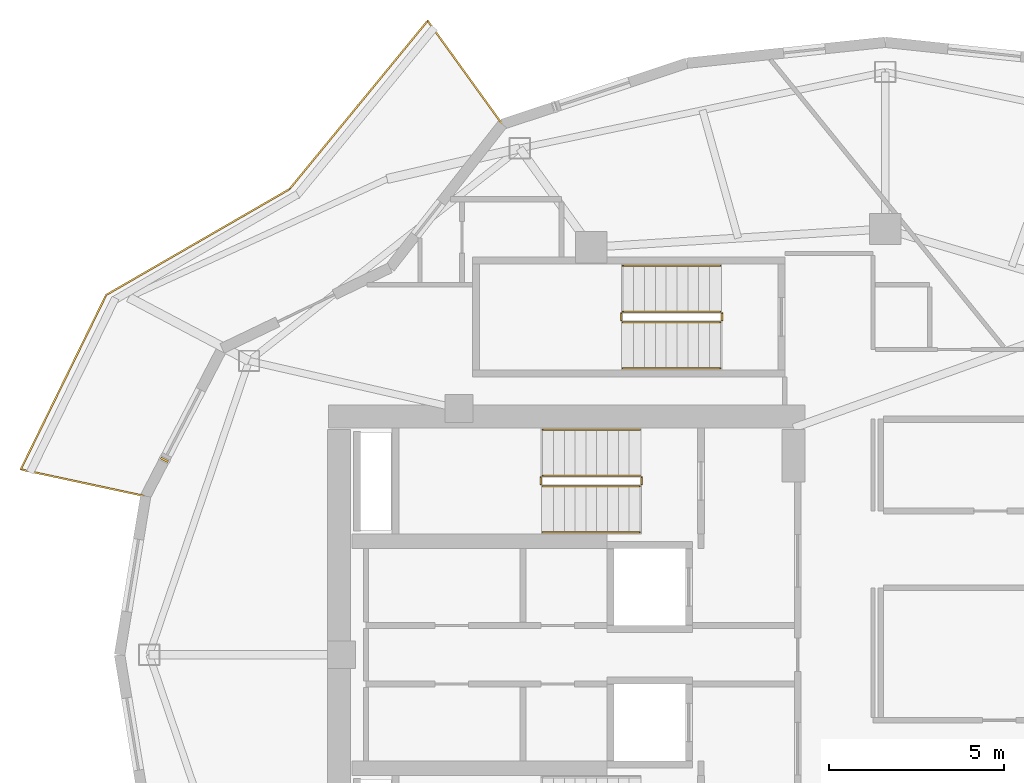
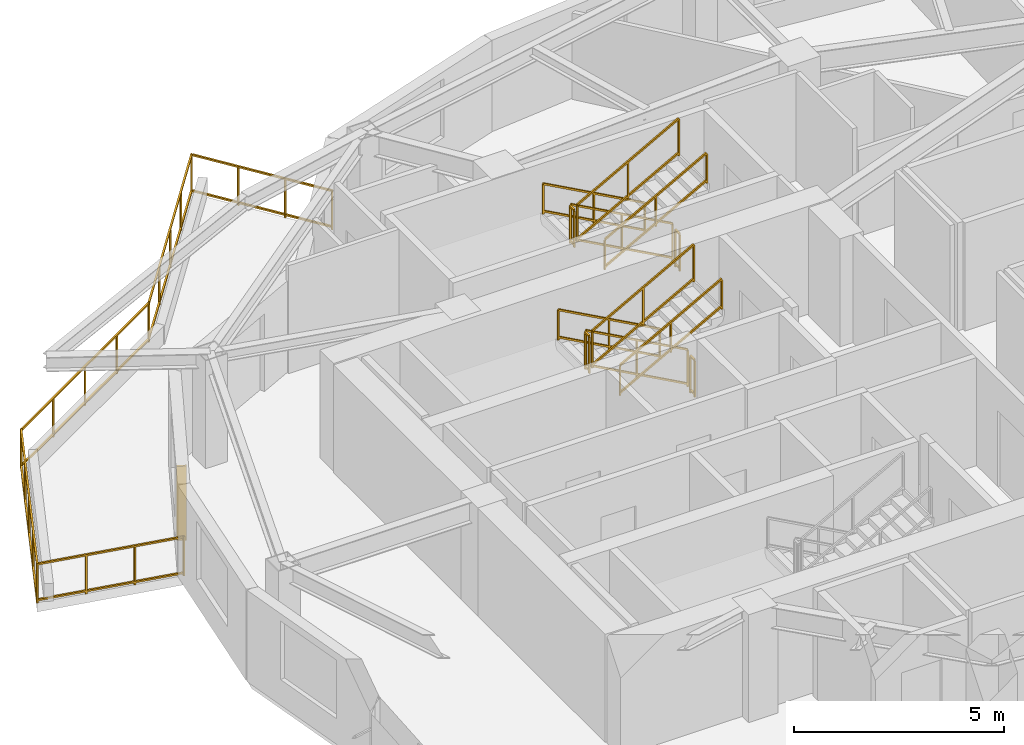
# One storey, part 10 of 12: 13 railings, 1 shading device.
"""IFC4 building model written with IfcOpenShell, lengths in metres."""

from ifc_helpers import new_model, si_unit, direction, frame, origin, origin_2d, place, context, subcontext, project, spatial, rectangle, extrude, material, type_object, element, save


model = new_model("IFC4")

# Units and contexts
model_context = context("Model", 3, precision=1e-05, world=origin(), true_north=direction((0.0, 1.0)))
body_context = subcontext(model_context, "Body", "Model", "MODEL_VIEW")
ifc_project = project(units=[si_unit("LENGTHUNIT", "METRE"), si_unit("AREAUNIT", "SQUARE_METRE"), si_unit("VOLUMEUNIT", "CUBIC_METRE"), si_unit("PLANEANGLEUNIT", "RADIAN"), si_unit("MASSUNIT", "GRAM", prefix="KILO")], contexts=[model_context])

# Site, building, storey
site_placement = place(None, origin())
site = spatial("IfcSite", under=ifc_project, at=site_placement, CompositionType="ELEMENT")
building_placement = place(site_placement, origin())
building = spatial("IfcBuilding", under=site, at=building_placement, Name="Kolvaren Gate Tower and Convention Centre", CompositionType="ELEMENT")
storey_placement = place(building_placement, frame((0.0, 0.0, 180.10009765625)))
storey = spatial("IfcBuildingStorey", under=building, at=storey_placement, Name="L47", CompositionType="ELEMENT", Elevation=180.10009765625)

# Railings
ifc_material_1 = material(Name="Brushed Stainless Steel Grade 316L", Category="steel")
railing_type_1 = type_object("IfcRailingType", Name="ARCH-RL-GUARD-1150", PredefinedType="GUARDRAIL", material=ifc_material_1)
railing_1_placement = place(storey_placement, frame((23.10009765625, 32.1298828125, 0.169921875)))
element("IfcRailing", 1, at=railing_1_placement, inside=storey, type_object=railing_type_1, Name="L47 ST-T1 stair guard 1", PredefinedType="GUARDRAIL", context=body_context, shape_type="SweptSolid", body=[
    extrude(rectangle(XDim=0.048095703125, YDim=0.048095703125, at=origin_2d()), frame((0.0, 0.0, 1.076171875), z_axis=(-0.876811365212, 0.0, 0.480834513982), x_axis=(0.0, -1.0, 0.0)), (0.0, 0.0, 1.0), 3.18212890625),
    extrude(rectangle(XDim=0.048095703125, YDim=0.048095703125, at=origin_2d()), frame((0.0, 0.0, 0.083984375), z_axis=(-0.876811365212, 0.0, 0.480834513982), x_axis=(0.0, -1.0, 0.0)), (0.0, 0.0, 1.0), 3.18212890625),
    extrude(rectangle(XDim=0.0419921875, YDim=0.0419921875, at=origin_2d()), origin(), (0.0, 0.0, 1.0), 1.050048828125),
    extrude(rectangle(XDim=0.0419921875, YDim=0.0419921875, at=origin_2d()), frame((-2.7900390625, 0.0, 1.530029296875)), (0.0, 0.0, 1.0), 1.050048828125),
    extrude(rectangle(XDim=0.0419921875, YDim=0.0419921875, at=origin_2d()), frame((-1.39501953125, 0.0, 0.76513671875)), (0.0, 0.0, 1.0), 1.050048828125),
])
railing_2_placement = place(storey_placement, frame((20.260009765625, 32.080078125, 1.699951171875)))
element("IfcRailing", 2, at=railing_2_placement, inside=storey, type_object=railing_type_1, Name="L47 ST-T1 stair guard 2", PredefinedType="GUARDRAIL", context=body_context, shape_type="SweptSolid", body=[
    extrude(rectangle(XDim=0.048095703125, YDim=0.048095703125, at=origin_2d()), frame((0.0, 0.0, 1.076171875), z_axis=(0.0, -1.0, 0.0), x_axis=(1.0, 0.0, 0.0)), (0.0, 0.0, 1.0), 0.2001953125),
    extrude(rectangle(XDim=0.048095703125, YDim=0.048095703125, at=origin_2d()), frame((0.0, 0.0, 0.083984375), z_axis=(0.0, -1.0, 0.0), x_axis=(1.0, 0.0, 0.0)), (0.0, 0.0, 1.0), 0.2001953125),
    extrude(rectangle(XDim=0.0419921875, YDim=0.0419921875, at=origin_2d()), origin(), (0.0, 0.0, 1.0), 1.050048828125),
    extrude(rectangle(XDim=0.0419921875, YDim=0.0419921875, at=origin_2d()), frame((0.0, -0.2001953125, 0.0)), (0.0, 0.0, 1.0), 1.050048828125),
])
railing_3_placement = place(storey_placement, frame((20.31005859375, 31.830078125, 1.869873046875)))
element("IfcRailing", 3, at=railing_3_placement, inside=storey, type_object=railing_type_1, Name="L47 ST-T1 stair guard 3", PredefinedType="GUARDRAIL", context=body_context, shape_type="SweptSolid", body=[
    extrude(rectangle(XDim=0.048095703125, YDim=0.048095703125, at=origin_2d()), frame((0.0, 0.0, 1.076171875), z_axis=(0.876811365212, 0.0, 0.480834513982), x_axis=(0.0, 1.0, 0.0)), (0.0, 0.0, 1.0), 3.18212890625),
    extrude(rectangle(XDim=0.048095703125, YDim=0.048095703125, at=origin_2d()), frame((0.0, 0.0, 0.083984375), z_axis=(0.876811365212, 0.0, 0.480834513982), x_axis=(0.0, 1.0, 0.0)), (0.0, 0.0, 1.0), 3.18212890625),
    extrude(rectangle(XDim=0.0419921875, YDim=0.0419921875, at=origin_2d()), origin(), (0.0, 0.0, 1.0), 1.050048828125),
    extrude(rectangle(XDim=0.0419921875, YDim=0.0419921875, at=origin_2d()), frame((2.7900390625, 0.0, 1.530029296875)), (0.0, 0.0, 1.0), 1.050048828125),
    extrude(rectangle(XDim=0.0419921875, YDim=0.0419921875, at=origin_2d()), frame((1.39501953125, 0.0, 0.76513671875)), (0.0, 0.0, 1.0), 1.050048828125),
])
railing_4_placement = place(storey_placement, frame((23.14990234375, 32.080078125, 0.0)))
element("IfcRailing", 4, at=railing_4_placement, inside=storey, type_object=railing_type_1, Name="L47 ST-T1 stair guard 4", PredefinedType="GUARDRAIL", context=body_context, shape_type="SweptSolid", body=[
    extrude(rectangle(XDim=0.048095703125, YDim=0.048095703125, at=origin_2d()), frame((0.0, 0.0, 1.076171875), z_axis=(0.0, -1.0, 0.0), x_axis=(1.0, 0.0, 0.0)), (0.0, 0.0, 1.0), 0.2001953125),
    extrude(rectangle(XDim=0.048095703125, YDim=0.048095703125, at=origin_2d()), frame((0.0, 0.0, 0.083984375), z_axis=(0.0, -1.0, 0.0), x_axis=(1.0, 0.0, 0.0)), (0.0, 0.0, 1.0), 0.2001953125),
    extrude(rectangle(XDim=0.0419921875, YDim=0.0419921875, at=origin_2d()), origin(), (0.0, 0.0, 1.0), 1.050048828125),
    extrude(rectangle(XDim=0.0419921875, YDim=0.0419921875, at=origin_2d()), frame((0.0, -0.2001953125, 0.0)), (0.0, 0.0, 1.0), 1.050048828125),
])
railing_5_placement = place(storey_placement, frame((25.39990234375, 36.830078125, 0.169921875)))
element("IfcRailing", 5, at=railing_5_placement, inside=storey, type_object=railing_type_1, Name="L47 ST-T3 stair guard 1", PredefinedType="GUARDRAIL", context=body_context, shape_type="SweptSolid", body=[
    extrude(rectangle(XDim=0.048095703125, YDim=0.048095703125, at=origin_2d()), frame((0.0, 0.0, 1.076171875), z_axis=(-0.8767936245, 0.0, 0.480866863109), x_axis=(0.0, -1.0, 0.0)), (0.0, 0.0, 1.0), 3.181884765625),
    extrude(rectangle(XDim=0.048095703125, YDim=0.048095703125, at=origin_2d()), frame((0.0, 0.0, 0.083984375), z_axis=(-0.8767936245, 0.0, 0.480866863109), x_axis=(0.0, -1.0, 0.0)), (0.0, 0.0, 1.0), 3.181884765625),
    extrude(rectangle(XDim=0.0419921875, YDim=0.0419921875, at=origin_2d()), origin(), (0.0, 0.0, 1.0), 1.050048828125),
    extrude(rectangle(XDim=0.0419921875, YDim=0.0419921875, at=origin_2d()), frame((-2.789794921875, 0.0, 1.530029296875)), (0.0, 0.0, 1.0), 1.050048828125),
    extrude(rectangle(XDim=0.0419921875, YDim=0.0419921875, at=origin_2d()), frame((-1.39501953125, 0.0, 0.76513671875)), (0.0, 0.0, 1.0), 1.050048828125),
])
railing_6_placement = place(storey_placement, frame((22.56005859375, 36.780029296875, 1.699951171875)))
element("IfcRailing", 6, at=railing_6_placement, inside=storey, type_object=railing_type_1, Name="L47 ST-T3 stair guard 2", PredefinedType="GUARDRAIL", context=body_context, shape_type="SweptSolid", body=[
    extrude(rectangle(XDim=0.048095703125, YDim=0.048095703125, at=origin_2d()), frame((0.0, 0.0, 1.076171875), z_axis=(0.0, -1.0, 0.0), x_axis=(1.0, 0.0, 0.0)), (0.0, 0.0, 1.0), 0.199951171875),
    extrude(rectangle(XDim=0.048095703125, YDim=0.048095703125, at=origin_2d()), frame((0.0, 0.0, 0.083984375), z_axis=(0.0, -1.0, 0.0), x_axis=(1.0, 0.0, 0.0)), (0.0, 0.0, 1.0), 0.199951171875),
    extrude(rectangle(XDim=0.0419921875, YDim=0.0419921875, at=origin_2d()), origin(), (0.0, 0.0, 1.0), 1.050048828125),
    extrude(rectangle(XDim=0.0419921875, YDim=0.0419921875, at=origin_2d()), frame((0.0, -0.199951171875, 0.0)), (0.0, 0.0, 1.0), 1.050048828125),
])
railing_7_placement = place(storey_placement, frame((22.610107421875, 36.530029296875, 1.869873046875)))
element("IfcRailing", 7, at=railing_7_placement, inside=storey, type_object=railing_type_1, Name="L47 ST-T3 stair guard 3", PredefinedType="GUARDRAIL", context=body_context, shape_type="SweptSolid", body=[
    extrude(rectangle(XDim=0.048095703125, YDim=0.048095703125, at=origin_2d()), frame((0.0, 0.0, 1.076171875), z_axis=(0.8767936245, 0.0, 0.480866863109), x_axis=(0.0, 1.0, 0.0)), (0.0, 0.0, 1.0), 3.181884765625),
    extrude(rectangle(XDim=0.048095703125, YDim=0.048095703125, at=origin_2d()), frame((0.0, 0.0, 0.083984375), z_axis=(0.8767936245, 0.0, 0.480866863109), x_axis=(0.0, 1.0, 0.0)), (0.0, 0.0, 1.0), 3.181884765625),
    extrude(rectangle(XDim=0.0419921875, YDim=0.0419921875, at=origin_2d()), origin(), (0.0, 0.0, 1.0), 1.050048828125),
    extrude(rectangle(XDim=0.0419921875, YDim=0.0419921875, at=origin_2d()), frame((2.789794921875, 0.0, 1.530029296875)), (0.0, 0.0, 1.0), 1.050048828125),
    extrude(rectangle(XDim=0.0419921875, YDim=0.0419921875, at=origin_2d()), frame((1.39501953125, 0.0, 0.76513671875)), (0.0, 0.0, 1.0), 1.050048828125),
])
railing_8_placement = place(storey_placement, frame((25.449951171875, 36.780029296875, 0.0)))
element("IfcRailing", 8, at=railing_8_placement, inside=storey, type_object=railing_type_1, Name="L47 ST-T3 stair guard 4", PredefinedType="GUARDRAIL", context=body_context, shape_type="SweptSolid", body=[
    extrude(rectangle(XDim=0.048095703125, YDim=0.048095703125, at=origin_2d()), frame((0.0, 0.0, 1.076171875), z_axis=(0.0, -1.0, 0.0), x_axis=(1.0, 0.0, 0.0)), (0.0, 0.0, 1.0), 0.199951171875),
    extrude(rectangle(XDim=0.048095703125, YDim=0.048095703125, at=origin_2d()), frame((0.0, 0.0, 0.083984375), z_axis=(0.0, -1.0, 0.0), x_axis=(1.0, 0.0, 0.0)), (0.0, 0.0, 1.0), 0.199951171875),
    extrude(rectangle(XDim=0.0419921875, YDim=0.0419921875, at=origin_2d()), origin(), (0.0, 0.0, 1.0), 1.050048828125),
    extrude(rectangle(XDim=0.0419921875, YDim=0.0419921875, at=origin_2d()), frame((0.0, -0.199951171875, 0.0)), (0.0, 0.0, 1.0), 1.050048828125),
])
railing_9_placement = place(storey_placement, frame((19.15625, 42.19873046875, 0.0)))
element("IfcRailing", 9, at=railing_9_placement, inside=storey, type_object=railing_type_1, Name="Tower L47 Terrace Perimeter Guardrail GR-1", PredefinedType="GUARDRAIL", context=body_context, shape_type="SweptSolid", body=[
    extrude(rectangle(XDim=0.048095703125, YDim=0.048095703125, at=origin_2d()), frame((-0.016357421875, 0.022705078125, 1.1259765625), z_axis=(-0.585212870465, 0.810879705161, 0.0), x_axis=(-0.810879705161, -0.585212870465, 0.0)), (0.0, 0.0, 1.0), 3.603759765625),
    extrude(rectangle(XDim=0.048095703125, YDim=0.048095703125, at=origin_2d()), frame((-0.016357421875, 0.022705078125, 0.083984375), z_axis=(-0.585212870465, 0.810879705161, 0.0), x_axis=(-0.810879705161, -0.585212870465, 0.0)), (0.0, 0.0, 1.0), 3.603759765625),
    extrude(rectangle(XDim=0.048095703125, YDim=0.048095703125, at=origin_2d()), frame((-2.15966796875, 2.946044921875, 1.1259765625), z_axis=(-0.634429234628, -0.77298094818, 0.0), x_axis=(0.77298094818, -0.634429234628, 0.0)), (0.0, 0.0, 1.0), 6.188720703125),
    extrude(rectangle(XDim=0.048095703125, YDim=0.048095703125, at=origin_2d()), frame((-2.15966796875, 2.946044921875, 0.083984375), z_axis=(-0.634429234628, -0.77298094818, 0.0), x_axis=(0.77298094818, -0.634429234628, 0.0)), (0.0, 0.0, 1.0), 6.188720703125),
    extrude(rectangle(XDim=0.048095703125, YDim=0.048095703125, at=origin_2d()), frame((-6.1279296875, -1.873291015625, 1.1259765625), z_axis=(-0.866075571306, -0.499913097234, 0.0), x_axis=(0.499913097234, -0.866075571306, 0.0)), (0.0, 0.0, 1.0), 6.004150390625),
    extrude(rectangle(XDim=0.048095703125, YDim=0.048095703125, at=origin_2d()), frame((-6.1279296875, -1.873291015625, 0.083984375), z_axis=(-0.866075571306, -0.499913097234, 0.0), x_axis=(0.499913097234, -0.866075571306, 0.0)), (0.0, 0.0, 1.0), 6.004150390625),
    extrude(rectangle(XDim=0.048095703125, YDim=0.048095703125, at=origin_2d()), frame((-11.36474609375, -4.9140625, 1.1259765625), z_axis=(-0.439655234701, -0.898166618507, 0.0), x_axis=(0.898166618507, -0.439655234701, 0.0)), (0.0, 0.0, 1.0), 5.51123046875),
    extrude(rectangle(XDim=0.048095703125, YDim=0.048095703125, at=origin_2d()), frame((-11.36474609375, -4.9140625, 0.083984375), z_axis=(-0.439655234701, -0.898166618507, 0.0), x_axis=(0.898166618507, -0.439655234701, 0.0)), (0.0, 0.0, 1.0), 5.51123046875),
    extrude(rectangle(XDim=0.048095703125, YDim=0.048095703125, at=origin_2d()), frame((-13.772705078125, -9.895263671875, 1.1259765625), z_axis=(0.977791675321, -0.209579196661, 0.0), x_axis=(0.209579196661, 0.977791675321, 0.0)), (0.0, 0.0, 1.0), 3.60400390625),
    extrude(rectangle(XDim=0.048095703125, YDim=0.048095703125, at=origin_2d()), frame((-13.772705078125, -9.895263671875, 0.083984375), z_axis=(0.977791675321, -0.209579196661, 0.0), x_axis=(0.209579196661, 0.977791675321, 0.0)), (0.0, 0.0, 1.0), 3.60400390625),
    extrude(rectangle(XDim=0.0419921875, YDim=0.0419921875, at=origin_2d()), origin(), (0.0, 0.0, 1.0), 1.14990234375),
    extrude(rectangle(XDim=0.0419921875, YDim=0.0419921875, at=origin_2d()), frame((-2.141845703125, 2.9677734375, 0.0)), (0.0, 0.0, 1.0), 1.14990234375),
    extrude(rectangle(XDim=0.0419921875, YDim=0.0419921875, at=origin_2d()), frame((-0.7138671875, 0.9892578125, 0.0)), (0.0, 0.0, 1.0), 1.099853515625),
    extrude(rectangle(XDim=0.0419921875, YDim=0.0419921875, at=origin_2d()), frame((-1.427978515625, 1.978515625, 0.0)), (0.0, 0.0, 1.0), 1.099853515625),
    extrude(rectangle(XDim=0.0419921875, YDim=0.0419921875, at=origin_2d()), frame((-6.103759765625, -1.859375, 0.0)), (0.0, 0.0, 1.0), 1.14990234375),
    extrude(rectangle(XDim=0.0419921875, YDim=0.0419921875, at=origin_2d()), frame((-3.13232421875, 1.760986328125, 0.0)), (0.0, 0.0, 1.0), 1.099853515625),
    extrude(rectangle(XDim=0.0419921875, YDim=0.0419921875, at=origin_2d()), frame((-4.122802734375, 0.55419921875, 0.0)), (0.0, 0.0, 1.0), 1.099853515625),
    extrude(rectangle(XDim=0.0419921875, YDim=0.0419921875, at=origin_2d()), frame((-5.11328125, -0.652587890625, 0.0)), (0.0, 0.0, 1.0), 1.099853515625),
    extrude(rectangle(XDim=0.0419921875, YDim=0.0419921875, at=origin_2d()), frame((-11.352294921875, -4.888916015625, 0.0)), (0.0, 0.0, 1.0), 1.14990234375),
    extrude(rectangle(XDim=0.0419921875, YDim=0.0419921875, at=origin_2d()), frame((-7.416015625, -2.61669921875, 0.0)), (0.0, 0.0, 1.0), 1.099853515625),
    extrude(rectangle(XDim=0.0419921875, YDim=0.0419921875, at=origin_2d()), frame((-8.72802734375, -3.3740234375, 0.0)), (0.0, 0.0, 1.0), 1.099853515625),
    extrude(rectangle(XDim=0.0419921875, YDim=0.0419921875, at=origin_2d()), frame((-10.0400390625, -4.131591796875, 0.0)), (0.0, 0.0, 1.0), 1.099853515625),
    extrude(rectangle(XDim=0.0419921875, YDim=0.0419921875, at=origin_2d()), frame((-13.800048828125, -9.889404296875, 0.0)), (0.0, 0.0, 1.0), 1.14990234375),
    extrude(rectangle(XDim=0.0419921875, YDim=0.0419921875, at=origin_2d()), frame((-11.96435546875, -6.13916015625, 0.0)), (0.0, 0.0, 1.0), 1.099853515625),
    extrude(rectangle(XDim=0.0419921875, YDim=0.0419921875, at=origin_2d()), frame((-12.576171875, -7.38916015625, 0.0)), (0.0, 0.0, 1.0), 1.099853515625),
    extrude(rectangle(XDim=0.0419921875, YDim=0.0419921875, at=origin_2d()), frame((-13.18798828125, -8.63916015625, 0.0)), (0.0, 0.0, 1.0), 1.099853515625),
    extrude(rectangle(XDim=0.0419921875, YDim=0.0419921875, at=origin_2d()), frame((-10.22119140625, -10.656494140625, 0.0)), (0.0, 0.0, 1.0), 1.14990234375),
    extrude(rectangle(XDim=0.0419921875, YDim=0.0419921875, at=origin_2d()), frame((-12.607177734375, -10.14501953125, 0.0)), (0.0, 0.0, 1.0), 1.099853515625),
    extrude(rectangle(XDim=0.0419921875, YDim=0.0419921875, at=origin_2d()), frame((-11.4140625, -10.40087890625, 0.0)), (0.0, 0.0, 1.0), 1.099853515625),
])
railing_type_2 = type_object("IfcRailingType", Name="ARCH-RL-HANDRAIL-920", PredefinedType="HANDRAIL", material=ifc_material_1)
railing_10_placement = place(storey_placement, frame((23.10009765625, 33.449951171875, 0.169921875)))
element("IfcRailing", 10, at=railing_10_placement, inside=storey, type_object=railing_type_2, Name="L47 ST-T1 stair handrail 1", PredefinedType="HANDRAIL", context=body_context, shape_type="SweptSolid", body=[
    extrude(rectangle(XDim=0.048095703125, YDim=0.048095703125, at=origin_2d()), frame((0.0, 0.0, 0.8759765625), z_axis=(-0.876811365212, 0.0, 0.480834513982), x_axis=(0.0, -1.0, 0.0)), (0.0, 0.0, 1.0), 3.18212890625),
    extrude(rectangle(XDim=0.048095703125, YDim=0.048095703125, at=origin_2d()), frame((0.0, 0.0, 0.083984375), z_axis=(-0.876811365212, 0.0, 0.480834513982), x_axis=(0.0, -1.0, 0.0)), (0.0, 0.0, 1.0), 3.18212890625),
    extrude(rectangle(XDim=0.0419921875, YDim=0.0419921875, at=origin_2d()), origin(), (0.0, 0.0, 1.0), 0.849853515625),
    extrude(rectangle(XDim=0.0419921875, YDim=0.0419921875, at=origin_2d()), frame((-2.7900390625, 0.0, 1.530029296875)), (0.0, 0.0, 1.0), 0.849853515625),
    extrude(rectangle(XDim=0.0419921875, YDim=0.0419921875, at=origin_2d()), frame((-1.39501953125, 0.0, 0.76513671875)), (0.0, 0.0, 1.0), 0.849853515625),
])
railing_11_placement = place(storey_placement, frame((20.31005859375, 30.510009765625, 1.869873046875)))
element("IfcRailing", 11, at=railing_11_placement, inside=storey, type_object=railing_type_2, Name="L47 ST-T1 stair handrail 2", PredefinedType="HANDRAIL", context=body_context, shape_type="SweptSolid", body=[
    extrude(rectangle(XDim=0.048095703125, YDim=0.048095703125, at=origin_2d()), frame((0.0, 0.0, 0.8759765625), z_axis=(0.876811365212, 0.0, 0.480834513982), x_axis=(0.0, 1.0, 0.0)), (0.0, 0.0, 1.0), 3.18212890625),
    extrude(rectangle(XDim=0.048095703125, YDim=0.048095703125, at=origin_2d()), frame((0.0, 0.0, 0.083984375), z_axis=(0.876811365212, 0.0, 0.480834513982), x_axis=(0.0, 1.0, 0.0)), (0.0, 0.0, 1.0), 3.18212890625),
    extrude(rectangle(XDim=0.0419921875, YDim=0.0419921875, at=origin_2d()), origin(), (0.0, 0.0, 1.0), 0.849853515625),
    extrude(rectangle(XDim=0.0419921875, YDim=0.0419921875, at=origin_2d()), frame((2.7900390625, 0.0, 1.530029296875)), (0.0, 0.0, 1.0), 0.849853515625),
    extrude(rectangle(XDim=0.0419921875, YDim=0.0419921875, at=origin_2d()), frame((1.39501953125, 0.0, 0.76513671875)), (0.0, 0.0, 1.0), 0.849853515625),
])
railing_12_placement = place(storey_placement, frame((25.39990234375, 38.14990234375, 0.169921875)))
element("IfcRailing", 12, at=railing_12_placement, inside=storey, type_object=railing_type_2, Name="L47 ST-T3 stair handrail 1", PredefinedType="HANDRAIL", context=body_context, shape_type="SweptSolid", body=[
    extrude(rectangle(XDim=0.048095703125, YDim=0.048095703125, at=origin_2d()), frame((0.0, 0.0, 0.8759765625), z_axis=(-0.8767936245, 0.0, 0.480866863109), x_axis=(0.0, -1.0, 0.0)), (0.0, 0.0, 1.0), 3.181884765625),
    extrude(rectangle(XDim=0.048095703125, YDim=0.048095703125, at=origin_2d()), frame((0.0, 0.0, 0.083984375), z_axis=(-0.8767936245, 0.0, 0.480866863109), x_axis=(0.0, -1.0, 0.0)), (0.0, 0.0, 1.0), 3.181884765625),
    extrude(rectangle(XDim=0.0419921875, YDim=0.0419921875, at=origin_2d()), origin(), (0.0, 0.0, 1.0), 0.849853515625),
    extrude(rectangle(XDim=0.0419921875, YDim=0.0419921875, at=origin_2d()), frame((-2.789794921875, 0.0, 1.530029296875)), (0.0, 0.0, 1.0), 0.849853515625),
    extrude(rectangle(XDim=0.0419921875, YDim=0.0419921875, at=origin_2d()), frame((-1.39501953125, 0.0, 0.76513671875)), (0.0, 0.0, 1.0), 0.849853515625),
])
railing_13_placement = place(storey_placement, frame((22.610107421875, 35.2099609375, 1.869873046875)))
element("IfcRailing", 13, at=railing_13_placement, inside=storey, type_object=railing_type_2, Name="L47 ST-T3 stair handrail 2", PredefinedType="HANDRAIL", context=body_context, shape_type="SweptSolid", body=[
    extrude(rectangle(XDim=0.048095703125, YDim=0.048095703125, at=origin_2d()), frame((0.0, 0.0, 0.8759765625), z_axis=(0.8767936245, 0.0, 0.480866863109), x_axis=(0.0, 1.0, 0.0)), (0.0, 0.0, 1.0), 3.181884765625),
    extrude(rectangle(XDim=0.048095703125, YDim=0.048095703125, at=origin_2d()), frame((0.0, 0.0, 0.083984375), z_axis=(0.8767936245, 0.0, 0.480866863109), x_axis=(0.0, 1.0, 0.0)), (0.0, 0.0, 1.0), 3.181884765625),
    extrude(rectangle(XDim=0.0419921875, YDim=0.0419921875, at=origin_2d()), origin(), (0.0, 0.0, 1.0), 0.849853515625),
    extrude(rectangle(XDim=0.0419921875, YDim=0.0419921875, at=origin_2d()), frame((2.789794921875, 0.0, 1.530029296875)), (0.0, 0.0, 1.0), 0.849853515625),
    extrude(rectangle(XDim=0.0419921875, YDim=0.0419921875, at=origin_2d()), frame((1.39501953125, 0.0, 0.76513671875)), (0.0, 0.0, 1.0), 0.849853515625),
])

# Shading device
ifc_material_2 = material(Name="Kiln-Fired Bogota Terracotta Ceramic Louvre Profile", Category="masonry")
shading_device_type = type_object("IfcShadingDeviceType", Name="ARCH-SHD-FIN-180", PredefinedType="JALOUSIE", material=ifc_material_2)
shading_device_placement = place(storey_placement, frame((9.474365234375, 32.583984375, 0.219970703125), z_axis=(0.0, 0.0, 1.0), x_axis=(0.459798409467, 0.888023323259, 0.0)))
element("IfcShadingDevice", 14, at=shading_device_placement, inside=storey, type_object=shading_device_type, Name="Ceramic Vertical Brise-Soleil Fin FN-L47-10", PredefinedType="JALOUSIE", context=body_context, shape_type="SweptSolid", body=[
    extrude(rectangle(XDim=0.06005859375, YDim=0.239990234375, at=origin_2d()), origin(), (0.0, 0.0, 1.0), 2.14990234375),
])

save(model, "model.ifc")
